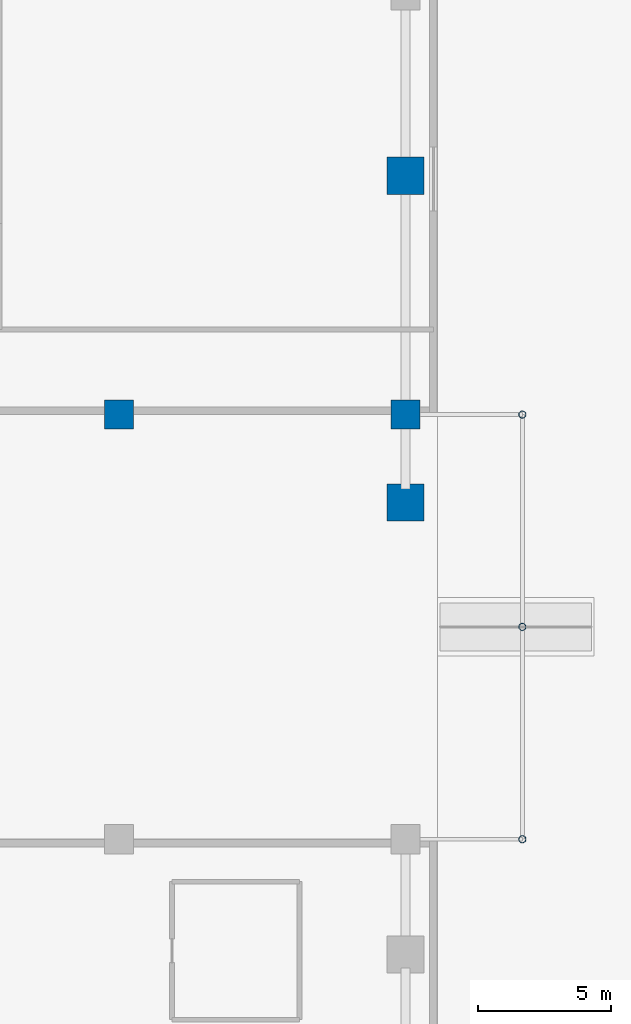
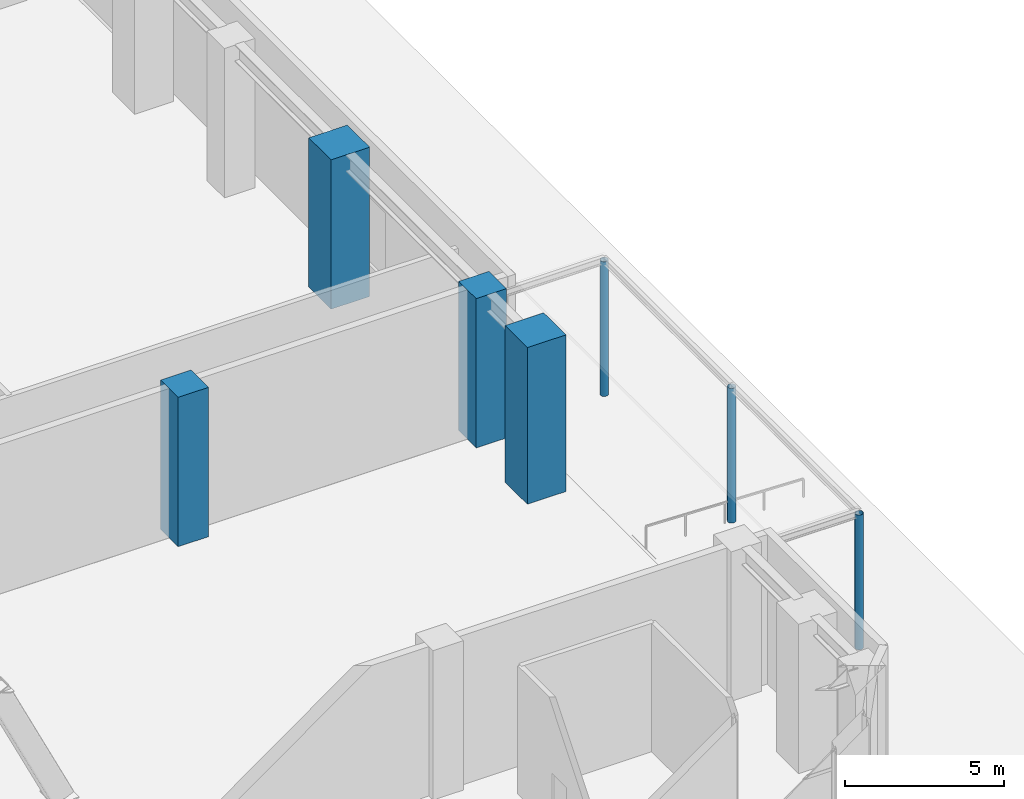
# One storey, part 6 of 49: 7 columns.
"""IFC4 building model written with IfcOpenShell, lengths in metres."""

from ifc_helpers import new_model, si_unit, direction, frame, origin, origin_2d, place, context, subcontext, project, spatial, rectangle, hollow_circle, extrude, material, material_profile, profile_set, type_object, element, save


model = new_model("IFC4")

# Units and contexts
model_context = context("Model", 3, precision=1e-05, world=origin(), true_north=direction((0.0, 1.0)))
body_context = subcontext(model_context, "Body", "Model", "MODEL_VIEW")
ifc_project = project(units=[si_unit("LENGTHUNIT", "METRE"), si_unit("AREAUNIT", "SQUARE_METRE"), si_unit("VOLUMEUNIT", "CUBIC_METRE"), si_unit("PLANEANGLEUNIT", "RADIAN"), si_unit("MASSUNIT", "GRAM", prefix="KILO")], contexts=[model_context])

# Site, building, storey
site_placement = place(None, origin())
site = spatial("IfcSite", under=ifc_project, at=site_placement, CompositionType="ELEMENT")
building_placement = place(site_placement, origin())
building = spatial("IfcBuilding", under=site, at=building_placement, Name="Sarneth Arch Tower", CompositionType="ELEMENT")
storey_placement = place(building_placement, origin())
storey = spatial("IfcBuildingStorey", under=building, at=storey_placement, Name="L00", CompositionType="ELEMENT", Elevation=0.0)

# Columns
ifc_material_1 = material(Name="Steel S355", Category="steel")
ifc_material_profile_1 = material_profile(ifc_material_1, hollow_circle(Radius=0.136474609375, WallThickness=0.010009765625, at=origin_2d()), Name="CHS273x10")
ifc_profile_set_1 = profile_set([ifc_material_profile_1], Name="Steel S355")
column_type_1 = type_object("IfcColumnType", Name="COL-CANOPY-273", PredefinedType="COLUMN", material=ifc_profile_set_1)
for number, where, z_axis, x_axis, name in (
    (1, (91.199951171875, 17.0, 0.0), (0.0, 0.0, 1.0), (1.0, 0.0, 0.0), "Entrance canopy column ARCH-E.1"),
    (2, (91.199951171875, 33.0, 0.0), (0.0, 0.0, 1.0), (1.0, 0.0, 0.0), "Entrance canopy column ARCH-E.2"),
    (3, (91.199951171875, 25.0, 0.0), (0.0, 0.0, 1.0), (1.0, 0.0, 0.0), "Entrance canopy mid column ARCH-E"),
):
    element("IfcColumn", number, at=place(storey_placement, frame(where, z_axis=z_axis, x_axis=x_axis)), inside=storey, type_object=column_type_1, Name=name, PredefinedType="COLUMN", context=body_context, shape_type="SweptSolid", body=[
        extrude(hollow_circle(Radius=0.136474609375, WallThickness=0.010009765625, at=origin_2d()), origin(), (0.0, 0.0, 1.0), 5.159912109375),
    ])
ifc_material_2 = material(Name="Concrete C60/75", Category="concrete")
ifc_material_profile_2 = material_profile(ifc_material_2, rectangle(XDim=1.10009765625, YDim=1.10009765625, at=origin_2d()), Name="RC-1100x1100")
ifc_profile_set_2 = profile_set([ifc_material_profile_2], Name="Concrete C60/75")
column_type_2 = type_object("IfcColumnType", Name="COL-RC-1100", PredefinedType="COLUMN", material=ifc_profile_set_2)
for number, where, z_axis, x_axis, name in (
    (4, (86.800048828125, 33.0, 0.0), (0.0, 0.0, 1.0), (1.0, 0.0, 0.0), "L00 Podium column PE02"),
    (5, (76.0, 33.0, 0.0), (0.0, 0.0, 1.0), (1.0, 0.0, 0.0), "L00 Podium column AN-E1"),
):
    element("IfcColumn", number, at=place(storey_placement, frame(where, z_axis=z_axis, x_axis=x_axis)), inside=storey, type_object=column_type_2, Name=name, PredefinedType="COLUMN", context=body_context, shape_type="SweptSolid", body=[
        extrude(rectangle(XDim=1.10009765625, YDim=1.10009765625, at=origin_2d()), origin(), (0.0, 0.0, 1.0), 5.719970703125),
    ])
ifc_material_3 = material(Name="Concrete C60/75", Category="concrete")
ifc_material_profile_3 = material_profile(ifc_material_3, rectangle(XDim=1.39990234375, YDim=1.39990234375, at=origin_2d()), Name="RC-1400x1400")
ifc_profile_set_3 = profile_set([ifc_material_profile_3], Name="Concrete C60/75")
column_type_3 = type_object("IfcColumnType", Name="COL-RC-1400", PredefinedType="COLUMN", material=ifc_profile_set_3)
column_1_placement = place(storey_placement, frame((86.800048828125, 42.0, 0.0), z_axis=(0.0, 0.0, 1.0), x_axis=(1.0, 0.0, 0.0)))
element("IfcColumn", 6, at=column_1_placement, inside=storey, type_object=column_type_3, Name="L00 Podium column PX01", PredefinedType="COLUMN", context=body_context, shape_type="SweptSolid", body=[
    extrude(rectangle(XDim=1.39990234375, YDim=1.39990234375, at=origin_2d()), origin(), (0.0, 0.0, 1.0), 5.719970703125),
])
column_2_placement = place(storey_placement, frame((86.800048828125, 29.68212890625, 0.0), z_axis=(0.0, 0.0, 1.0), x_axis=(1.0, 0.0, 0.0)))
element("IfcColumn", 7, at=column_2_placement, inside=storey, type_object=column_type_3, Name="L00 Podium column PX16", PredefinedType="COLUMN", context=body_context, shape_type="SweptSolid", body=[
    extrude(rectangle(XDim=1.39990234375, YDim=1.39990234375, at=origin_2d()), origin(), (0.0, 0.0, 1.0), 6.0),
])

save(model, "model.ifc")
